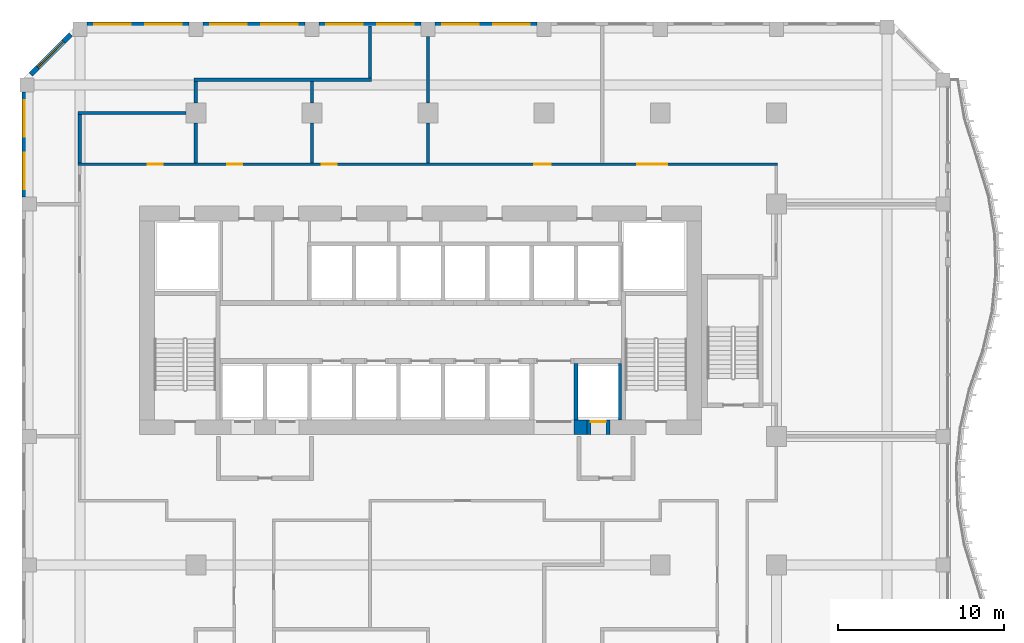
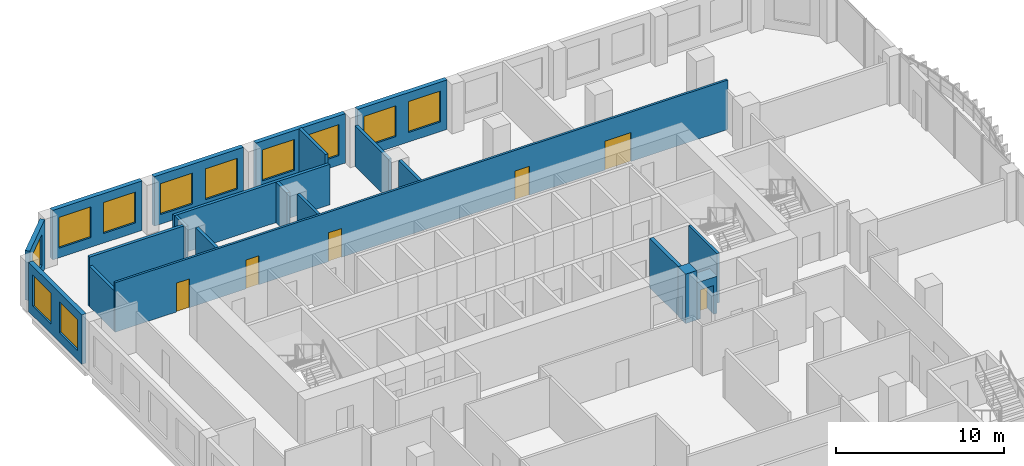
# One storey, part 14 of 19: 21 walls, 11 windows, 6 doors, 17 openings.
"""IFC4 building model written with IfcOpenShell, lengths in metres."""

from ifc_helpers import new_model, si_unit, direction, frame, frame_2d, origin, place, context, subcontext, project, spatial, rectangle, extrude, source, transform, mapped, material, layer, layer_set, type_object, element, fill, save


model = new_model("IFC4")

# Units and contexts
model_context = context("Model", 3, precision=1e-05, world=origin(), true_north=direction((0.0, 1.0)))
body_context = subcontext(model_context, "Body", "Model", "MODEL_VIEW")
ifc_project = project(units=[si_unit("LENGTHUNIT", "METRE"), si_unit("AREAUNIT", "SQUARE_METRE"), si_unit("VOLUMEUNIT", "CUBIC_METRE"), si_unit("PLANEANGLEUNIT", "RADIAN"), si_unit("MASSUNIT", "GRAM", prefix="KILO")], contexts=[model_context])

# Site, building, storey
site_placement = place(None, origin())
site = spatial("IfcSite", under=ifc_project, at=site_placement, CompositionType="ELEMENT")
building_placement = place(site_placement, origin())
building = spatial("IfcBuilding", under=site, at=building_placement, Name="Kilnfold Tower and Market Hall", CompositionType="ELEMENT")
storey_placement = place(building_placement, frame((0.0, 0.0, 124.60009765625)))
storey = spatial("IfcBuildingStorey", under=building, at=storey_placement, Name="L29", CompositionType="ELEMENT", Elevation=124.60009765625)

# Wall, openings, doors
ifc_material_1 = material(Name="Gypsum board on steel studs", Category="steel")
ifc_layer_1 = layer(ifc_material_1, 0.14990234375)
ifc_layer_set_1 = layer_set([ifc_layer_1], Name="Gypsum board on steel studs")
wall_type_1 = type_object("IfcWallType", Name="WALL CORRIDOR 150", PredefinedType="PARTITIONING", material=ifc_layer_set_1)
wall_1_placement = place(storey_placement, frame((-19.60009765625, 24.39990234375, 0.0), z_axis=(0.0, 0.0, 1.0), x_axis=(1.0, 0.0, 0.0)))
wall_1 = element("IfcWall", 1, at=wall_1_placement, inside=storey, type_object=wall_type_1, Name="Partition LY18.33", PredefinedType="PARTITIONING", context=body_context, shape_type="SweptSolid", body=[
    extrude(rectangle(XDim=42.175048828125, YDim=0.14990234375, at=frame_2d((21.08740234375, 0.0))), origin(), (0.0, 0.0, 1.0), 3.599853515625),
])
opening_1_placement = place(wall_1_placement, frame((4.20703125, 0.0, 0.0)))
opening_1 = element("IfcOpeningElement", 2, at=opening_1_placement, cuts=wall_1, Name="Opening D2", PredefinedType="OPENING", context=body_context, shape_type="SweptSolid", body=[
    extrude(rectangle(XDim=0.89990234375, YDim=2.10009765625, at=frame_2d((0.449951171875, 1.050048828125))), frame((0.0, 0.0849609375, 0.0), z_axis=(0.0, -1.0, 0.0), x_axis=(1.0, 0.0, 0.0)), (0.0, 0.0, 1.0), 0.169921875),
])
opening_2_placement = place(wall_1_placement, frame((8.99609375, 0.0, 0.0)))
opening_2 = element("IfcOpeningElement", 3, at=opening_2_placement, cuts=wall_1, Name="Opening D2", PredefinedType="OPENING", context=body_context, shape_type="SweptSolid", body=[
    extrude(rectangle(XDim=0.89990234375, YDim=2.10009765625, at=frame_2d((0.449951171875, 1.050048828125))), frame((0.0, 0.0849609375, 0.0), z_axis=(0.0, -1.0, 0.0), x_axis=(1.0, 0.0, 0.0)), (0.0, 0.0, 1.0), 0.169921875),
])
opening_3_placement = place(wall_1_placement, frame((14.69091796875, 0.0, 0.0)))
opening_3 = element("IfcOpeningElement", 4, at=opening_3_placement, cuts=wall_1, Name="Opening D3", PredefinedType="OPENING", context=body_context, shape_type="SweptSolid", body=[
    extrude(rectangle(XDim=0.89990234375, YDim=2.10009765625, at=frame_2d((0.449951171875, 1.050048828125))), frame((0.0, 0.0849609375, 0.0), z_axis=(0.0, -1.0, 0.0), x_axis=(1.0, 0.0, 0.0)), (0.0, 0.0, 1.0), 0.169921875),
])
opening_4_placement = place(wall_1_placement, frame((27.50390625, 0.0, 0.0)))
opening_4 = element("IfcOpeningElement", 5, at=opening_4_placement, cuts=wall_1, Name="Opening D1", PredefinedType="OPENING", context=body_context, shape_type="SweptSolid", body=[
    extrude(rectangle(XDim=1.0, YDim=2.10009765625, at=frame_2d((0.5, 1.050048828125))), frame((0.0, 0.0849609375, 0.0), z_axis=(0.0, -1.0, 0.0), x_axis=(1.0, 0.0, 0.0)), (0.0, 0.0, 1.0), 0.169921875),
])
opening_5_placement = place(wall_1_placement, frame((33.708984375, 0.0, 0.0)))
opening_5 = element("IfcOpeningElement", 6, at=opening_5_placement, cuts=wall_1, Name="Opening D5", PredefinedType="OPENING", context=body_context, shape_type="SweptSolid", body=[
    extrude(rectangle(XDim=1.800048828125, YDim=2.10009765625, at=frame_2d((0.89990234375, 1.050048828125))), frame((0.0, 0.0849609375, 0.0), z_axis=(0.0, -1.0, 0.0), x_axis=(1.0, 0.0, 0.0)), (0.0, 0.0, 1.0), 0.169921875),
])
ifc_material_2 = material(Name="Timber veneer door leaf in steel frame", Category="steel")
door_type_1 = type_object("IfcDoorType", Name="DOOR DOUBLE 1800 X2100", OperationType="NOTDEFINED", PredefinedType="DOOR", material=ifc_material_2)
door_1_placement = place(opening_5_placement, origin())
door_1 = element("IfcDoor", 7, at=door_1_placement, inside=storey, type_object=door_type_1, Name="Door D5", OperationType="DOUBLE_DOOR_SINGLE_SWING", OverallHeight=2.10009765625, OverallWidth=1.800048828125, PredefinedType="DOOR", context=body_context, shape_type="SweptSolid", body=[
    extrude(rectangle(XDim=1.800048828125, YDim=2.10009765625, at=frame_2d((0.89990234375, 1.050048828125))), frame((0.0, 0.02490234375, 0.0), z_axis=(0.0, -1.0, 0.0), x_axis=(1.0, 0.0, 0.0)), (0.0, 0.0, 1.0), 0.050048828125),
])
fill(opening_5, door_1)
ifc_material_3 = material(Name="Timber veneer door leaf in steel frame", Category="steel")
door_type_2 = type_object("IfcDoorType", Name="DOOR ENTRY 1000 X2100", OperationType="NOTDEFINED", PredefinedType="DOOR", material=ifc_material_3)
door_2_placement = place(opening_4_placement, origin())
door_2 = element("IfcDoor", 8, at=door_2_placement, inside=storey, type_object=door_type_2, Name="Door D1", OperationType="SINGLE_SWING_RIGHT", OverallHeight=2.10009765625, OverallWidth=1.0, PredefinedType="DOOR", context=body_context, shape_type="SweptSolid", body=[
    extrude(rectangle(XDim=1.0, YDim=2.10009765625, at=frame_2d((0.5, 1.050048828125))), frame((0.0, 0.02490234375, 0.0), z_axis=(0.0, -1.0, 0.0), x_axis=(1.0, 0.0, 0.0)), (0.0, 0.0, 1.0), 0.050048828125),
])
fill(opening_4, door_2)
ifc_material_4 = material(Name="Timber veneer door leaf in steel frame", Category="steel")
door_type_3 = type_object("IfcDoorType", Name="DOOR ROOM 900 X2100", OperationType="NOTDEFINED", PredefinedType="DOOR", material=ifc_material_4)
door_3_placement = place(opening_1_placement, origin())
door_3 = element("IfcDoor", 9, at=door_3_placement, inside=storey, type_object=door_type_3, Name="Door D2", OperationType="SINGLE_SWING_LEFT", OverallHeight=2.10009765625, OverallWidth=0.89990234375, PredefinedType="DOOR", context=body_context, shape_type="SweptSolid", body=[
    extrude(rectangle(XDim=0.89990234375, YDim=2.10009765625, at=frame_2d((0.449951171875, 1.050048828125))), frame((0.0, 0.02490234375, 0.0), z_axis=(0.0, -1.0, 0.0), x_axis=(1.0, 0.0, 0.0)), (0.0, 0.0, 1.0), 0.050048828125),
])
fill(opening_1, door_3)
door_4_placement = place(opening_2_placement, origin())
door_4 = element("IfcDoor", 10, at=door_4_placement, inside=storey, type_object=door_type_3, Name="Door D2", OperationType="SINGLE_SWING_LEFT", OverallHeight=2.10009765625, OverallWidth=0.89990234375, PredefinedType="DOOR", context=body_context, shape_type="SweptSolid", body=[
    extrude(rectangle(XDim=0.89990234375, YDim=2.10009765625, at=frame_2d((0.449951171875, 1.050048828125))), frame((0.0, 0.02490234375, 0.0), z_axis=(0.0, -1.0, 0.0), x_axis=(1.0, 0.0, 0.0)), (0.0, 0.0, 1.0), 0.050048828125),
])
fill(opening_2, door_4)
ifc_material_5 = material(Name="Timber veneer door leaf in steel frame", Category="steel")
door_type_4 = type_object("IfcDoorType", Name="DOOR WC 900 X2100", OperationType="NOTDEFINED", PredefinedType="DOOR", material=ifc_material_5)
door_5_placement = place(opening_3_placement, origin())
door_5 = element("IfcDoor", 11, at=door_5_placement, inside=storey, type_object=door_type_4, Name="Door D3", OperationType="SINGLE_SWING_RIGHT", OverallHeight=2.10009765625, OverallWidth=0.89990234375, PredefinedType="DOOR", context=body_context, shape_type="SweptSolid", body=[
    extrude(rectangle(XDim=0.89990234375, YDim=2.10009765625, at=frame_2d((0.449951171875, 1.050048828125))), frame((0.0, 0.02490234375, 0.0), z_axis=(0.0, -1.0, 0.0), x_axis=(1.0, 0.0, 0.0)), (0.0, 0.0, 1.0), 0.050048828125),
])
fill(opening_3, door_5)

# Walls
ifc_material_6 = material(Name="Gypsum board on steel studs", Category="steel")
ifc_layer_2 = layer(ifc_material_6, 0.199951171875)
ifc_layer_set_2 = layer_set([ifc_layer_2], Name="Gypsum board on steel studs")
wall_type_2 = type_object("IfcWallType", Name="WALL PARTY 200", PredefinedType="PARTITIONING", material=ifc_layer_set_2)
wall_2_placement = place(storey_placement, frame((1.5, 24.47607421875, 0.0), z_axis=(0.0, 0.0, 1.0), x_axis=(0.0, 1.0, 0.0)))
element("IfcWall", 12, at=wall_2_placement, inside=storey, type_object=wall_type_2, Name="Partition LY18.56", PredefinedType="PARTITIONING", context=body_context, shape_type="SweptSolid", body=[
    extrude(rectangle(XDim=2.423828125, YDim=0.199951171875, at=frame_2d((1.2119140625, 0.0))), origin(), (0.0, 0.0, 1.0), 3.599853515625),
])
wall_3_placement = place(storey_placement, frame((1.5, 28.10009765625, 0.0), z_axis=(0.0, 0.0, 1.0), x_axis=(0.0, 1.0, 0.0)))
element("IfcWall", 13, at=wall_3_placement, inside=storey, type_object=wall_type_2, Name="Partition LY18.57", PredefinedType="PARTITIONING", context=body_context, shape_type="SweptSolid", body=[
    extrude(rectangle(XDim=4.02490234375, YDim=0.199951171875, at=frame_2d((2.012451171875, 0.0))), origin(), (0.0, 0.0, 1.0), 2.949951171875),
])
wall_4_placement = place(storey_placement, frame((-5.5, 28.10009765625, 0.0), z_axis=(0.0, 0.0, 1.0), x_axis=(0.0, 1.0, 0.0)))
element("IfcWall", 14, at=wall_4_placement, inside=storey, type_object=wall_type_2, Name="Partition LY18.58", PredefinedType="PARTITIONING", context=body_context, shape_type="SweptSolid", body=[
    extrude(rectangle(XDim=1.2998046875, YDim=0.199951171875, at=frame_2d((0.64990234375, 0.0))), origin(), (0.0, 0.0, 1.0), 2.949951171875),
])
wall_5_placement = place(storey_placement, frame((-5.5, 24.47607421875, 0.0), z_axis=(0.0, 0.0, 1.0), x_axis=(0.0, 1.0, 0.0)))
element("IfcWall", 15, at=wall_5_placement, inside=storey, type_object=wall_type_2, Name="Partition LY18.59", PredefinedType="PARTITIONING", context=body_context, shape_type="SweptSolid", body=[
    extrude(rectangle(XDim=2.423828125, YDim=0.199951171875, at=frame_2d((1.2119140625, 0.0))), origin(), (0.0, 0.0, 1.0), 3.599853515625),
])
wall_6_placement = place(storey_placement, frame((-2.0, 29.60009765625, 0.0), z_axis=(0.0, 0.0, 1.0), x_axis=(0.0, 1.0, 0.0)))
element("IfcWall", 16, at=wall_6_placement, inside=storey, type_object=wall_type_2, Name="Partition LY18.60", PredefinedType="PARTITIONING", context=body_context, shape_type="SweptSolid", body=[
    extrude(rectangle(XDim=3.14990234375, YDim=0.199951171875, at=frame_2d((1.574951171875, 0.0))), origin(), (0.0, 0.0, 1.0), 3.599853515625),
])
wall_7_placement = place(storey_placement, frame((-12.5, 24.47607421875, 0.0), z_axis=(0.0, 0.0, 1.0), x_axis=(0.0, 1.0, 0.0)))
element("IfcWall", 17, at=wall_7_placement, inside=storey, type_object=wall_type_2, Name="Partition LY18.61", PredefinedType="PARTITIONING", context=body_context, shape_type="SweptSolid", body=[
    extrude(rectangle(XDim=2.423828125, YDim=0.199951171875, at=frame_2d((1.2119140625, 0.0))), origin(), (0.0, 0.0, 1.0), 3.599853515625),
])
wall_8_placement = place(storey_placement, frame((-12.5, 28.10009765625, 0.0), z_axis=(0.0, 0.0, 1.0), x_axis=(0.0, 1.0, 0.0)))
element("IfcWall", 18, at=wall_8_placement, inside=storey, type_object=wall_type_2, Name="Partition LY18.62", PredefinedType="PARTITIONING", context=body_context, shape_type="SweptSolid", body=[
    extrude(rectangle(XDim=1.2998046875, YDim=0.199951171875, at=frame_2d((0.64990234375, 0.0))), origin(), (0.0, 0.0, 1.0), 2.949951171875),
])
wall_9_placement = place(storey_placement, frame((-12.60009765625, 29.5, 0.0), z_axis=(0.0, 0.0, 1.0), x_axis=(1.0, 0.0, 0.0)))
element("IfcWall", 19, at=wall_9_placement, inside=storey, type_object=wall_type_2, Name="Partition LY18.63", PredefinedType="PARTITIONING", context=body_context, shape_type="SweptSolid", body=[
    extrude(rectangle(XDim=10.7001953125, YDim=0.199951171875, at=frame_2d((5.35009765625, 0.0))), origin(), (0.0, 0.0, 1.0), 2.949951171875),
])
wall_10_placement = place(storey_placement, frame((-19.5, 27.39990234375, 0.0), z_axis=(0.0, 0.0, 1.0), x_axis=(0.0, -1.0, 0.0)))
element("IfcWall", 20, at=wall_10_placement, inside=storey, type_object=wall_type_2, Name="Partition LY18.64", PredefinedType="PARTITIONING", context=body_context, shape_type="SweptSolid", body=[
    extrude(rectangle(XDim=2.923828125, YDim=0.199951171875, at=frame_2d((1.4619140625, 0.0))), origin(), (0.0, 0.0, 1.0), 2.949951171875),
])
wall_11_placement = place(storey_placement, frame((-13.10009765625, 27.5, 0.0), z_axis=(0.0, 0.0, 1.0), x_axis=(-1.0, 0.0, 0.0)))
element("IfcWall", 21, at=wall_11_placement, inside=storey, type_object=wall_type_2, Name="Partition LY18.65", PredefinedType="PARTITIONING", context=body_context, shape_type="SweptSolid", body=[
    extrude(rectangle(XDim=6.5, YDim=0.199951171875, at=frame_2d((3.25, 0.0))), origin(), (0.0, 0.0, 1.0), 3.599853515625),
])
ifc_material_7 = material(Name="Concrete C70", Category="concrete")
ifc_layer_3 = layer(ifc_material_7, 0.89990234375)
ifc_layer_set_3 = layer_set([ifc_layer_3], Name="Concrete C70")
wall_type_3 = type_object("IfcWallType", Name="CORE WALL 900 C70", PredefinedType="SHEAR", material=ifc_layer_set_3)
shared_shape_1 = source(origin(), body_context, "Body", "SweptSolid", [
    extrude(rectangle(XDim=0.780029296875, YDim=0.89990234375, at=frame_2d((0.39013671875, 0.0))), origin(), (0.0, 0.0, 1.0), 3.599853515625),
])
wall_12_placement = place(storey_placement, frame((10.2900390625, 8.550048828125, 0.0), z_axis=(0.0, 0.0, 1.0), x_axis=(1.0, 0.0, 0.0)))
element("IfcWall", 22, at=wall_12_placement, inside=storey, type_object=wall_type_3, Name="Core outer wall south", PredefinedType="SHEAR", context=body_context, shape_type="MappedRepresentation", body=[
    mapped(shared_shape_1, transform((0.0, 0.0, 0.0))),
])

# Wall, opening, window
ifc_material_8 = material(Name="Precast concrete C50/60", Category="concrete")
ifc_layer_4 = layer(ifc_material_8, 0.300048828125)
ifc_layer_set_4 = layer_set([ifc_layer_4], Name="Precast concrete C50/60")
wall_type_4 = type_object("IfcWallType", Name="PRECAST WALL 300", PredefinedType="SOLIDWALL", material=ifc_layer_set_4)
shared_shape_2 = source(origin(), body_context, "Body", "SweptSolid", [
    extrude(rectangle(XDim=3.429443359375, YDim=0.300048828125, at=frame_2d((1.71484375, 0.0))), origin(), (0.0, 0.0, 1.0), 3.599853515625),
])
wall_13_placement = place(storey_placement, frame((-20.0439453125, 32.243896484375, 0.0), z_axis=(0.0, 0.0, 1.0), x_axis=(-0.707106781187, -0.707106781187, 0.0)))
wall_13 = element("IfcWall", 23, at=wall_13_placement, inside=storey, type_object=wall_type_4, Name="External wall L29 NW", PredefinedType="SOLIDWALL", context=body_context, shape_type="MappedRepresentation", body=[
    mapped(shared_shape_2, transform((0.0, 0.0, 0.0))),
])
opening_6_placement = place(wall_13_placement, frame((0.61474609375, 0.0, 0.699951171875)))
opening_6 = element("IfcOpeningElement", 24, at=opening_6_placement, cuts=wall_13, Name="Opening W1", PredefinedType="OPENING", context=body_context, shape_type="SweptSolid", body=[
    extrude(rectangle(XDim=2.199951171875, YDim=2.25, at=frame_2d((1.10009765625, 1.125))), frame((0.0, 0.16015625, 0.0), z_axis=(0.0, -1.0, 0.0), x_axis=(1.0, 0.0, 0.0)), (0.0, 0.0, 1.0), 0.320068359375),
])
ifc_material_9 = material(Name="Aluminium frame and double glazing", Category="aluminium")
window_type = type_object("IfcWindowType", Name="WINDOW W1 2200X2250", PartitioningType="SINGLE_PANEL", PredefinedType="WINDOW", material=ifc_material_9)
window_1_placement = place(opening_6_placement, origin())
window_1 = element("IfcWindow", 25, at=window_1_placement, inside=storey, type_object=window_type, Name="Window W1 L29 NW-1", OverallHeight=2.25, OverallWidth=2.199951171875, PartitioningType="SINGLE_PANEL", PredefinedType="WINDOW", context=body_context, shape_type="SweptSolid", body=[
    extrude(rectangle(XDim=2.199951171875, YDim=2.25, at=frame_2d((1.10009765625, 1.125))), frame((0.0, 0.030029296875, 0.0), z_axis=(0.0, -1.0, 0.0), x_axis=(1.0, 0.0, 0.0)), (0.0, 0.0, 1.0), 0.06005859375),
])
fill(opening_6, window_1)

# Wall, openings, windows
shared_shape_3 = source(origin(), body_context, "Body", "SweptSolid", [
    extrude(rectangle(XDim=6.14990234375, YDim=0.300048828125, at=frame_2d((3.074951171875, 0.0))), origin(), (0.0, 0.0, 1.0), 3.599853515625),
])
wall_14_placement = place(storey_placement, frame((8.074951171875, 32.85009765625, 0.0), z_axis=(0.0, 0.0, 1.0), x_axis=(-1.0, 0.0, 0.0)))
wall_14 = element("IfcWall", 26, at=wall_14_placement, inside=storey, type_object=wall_type_4, Name="External wall L29 N", PredefinedType="SOLIDWALL", context=body_context, shape_type="MappedRepresentation", body=[
    mapped(shared_shape_3, transform((0.0, 0.0, 0.0))),
])
opening_7_placement = place(wall_14_placement, frame((0.4375, 0.0, 0.699951171875)))
opening_7 = element("IfcOpeningElement", 27, at=opening_7_placement, cuts=wall_14, Name="Opening W1", PredefinedType="OPENING", context=body_context, shape_type="SweptSolid", body=[
    extrude(rectangle(XDim=2.199951171875, YDim=2.25, at=frame_2d((1.10009765625, 1.125))), frame((0.0, 0.16015625, 0.0), z_axis=(0.0, -1.0, 0.0), x_axis=(1.0, 0.0, 0.0)), (0.0, 0.0, 1.0), 0.320068359375),
])
opening_8_placement = place(wall_14_placement, frame((3.512451171875, 0.0, 0.699951171875)))
opening_8 = element("IfcOpeningElement", 28, at=opening_8_placement, cuts=wall_14, Name="Opening W1", PredefinedType="OPENING", context=body_context, shape_type="SweptSolid", body=[
    extrude(rectangle(XDim=2.199951171875, YDim=2.25, at=frame_2d((1.10009765625, 1.125))), frame((0.0, 0.16015625, 0.0), z_axis=(0.0, -1.0, 0.0), x_axis=(1.0, 0.0, 0.0)), (0.0, 0.0, 1.0), 0.320068359375),
])
window_2_placement = place(opening_7_placement, origin())
window_2 = element("IfcWindow", 29, at=window_2_placement, inside=storey, type_object=window_type, Name="Window W1 L29 N-1", OverallHeight=2.25, OverallWidth=2.199951171875, PartitioningType="SINGLE_PANEL", PredefinedType="WINDOW", context=body_context, shape_type="SweptSolid", body=[
    extrude(rectangle(XDim=2.199951171875, YDim=2.25, at=frame_2d((1.10009765625, 1.125))), frame((0.0, 0.030029296875, 0.0), z_axis=(0.0, -1.0, 0.0), x_axis=(1.0, 0.0, 0.0)), (0.0, 0.0, 1.0), 0.06005859375),
])
fill(opening_7, window_2)
window_3_placement = place(opening_8_placement, origin())
window_3 = element("IfcWindow", 30, at=window_3_placement, inside=storey, type_object=window_type, Name="Window W1 L29 N-2", OverallHeight=2.25, OverallWidth=2.199951171875, PartitioningType="SINGLE_PANEL", PredefinedType="WINDOW", context=body_context, shape_type="SweptSolid", body=[
    extrude(rectangle(XDim=2.199951171875, YDim=2.25, at=frame_2d((1.10009765625, 1.125))), frame((0.0, 0.030029296875, 0.0), z_axis=(0.0, -1.0, 0.0), x_axis=(1.0, 0.0, 0.0)), (0.0, 0.0, 1.0), 0.06005859375),
])
fill(opening_8, window_3)

wall_15_placement = place(storey_placement, frame((1.074951171875, 32.85009765625, 0.0), z_axis=(0.0, 0.0, 1.0), x_axis=(-1.0, 0.0, 0.0)))
wall_15 = element("IfcWall", 31, at=wall_15_placement, inside=storey, type_object=wall_type_4, Name="External wall L29 N", PredefinedType="SOLIDWALL", context=body_context, shape_type="MappedRepresentation", body=[
    mapped(shared_shape_3, transform((0.0, 0.0, 0.0))),
])
opening_9_placement = place(wall_15_placement, frame((0.4375, 0.0, 0.699951171875)))
opening_9 = element("IfcOpeningElement", 32, at=opening_9_placement, cuts=wall_15, Name="Opening W1", PredefinedType="OPENING", context=body_context, shape_type="SweptSolid", body=[
    extrude(rectangle(XDim=2.199951171875, YDim=2.25, at=frame_2d((1.10009765625, 1.125))), frame((0.0, 0.16015625, 0.0), z_axis=(0.0, -1.0, 0.0), x_axis=(1.0, 0.0, 0.0)), (0.0, 0.0, 1.0), 0.320068359375),
])
opening_10_placement = place(wall_15_placement, frame((3.512451171875, 0.0, 0.699951171875)))
opening_10 = element("IfcOpeningElement", 33, at=opening_10_placement, cuts=wall_15, Name="Opening W1", PredefinedType="OPENING", context=body_context, shape_type="SweptSolid", body=[
    extrude(rectangle(XDim=2.199951171875, YDim=2.25, at=frame_2d((1.10009765625, 1.125))), frame((0.0, 0.16015625, 0.0), z_axis=(0.0, -1.0, 0.0), x_axis=(1.0, 0.0, 0.0)), (0.0, 0.0, 1.0), 0.320068359375),
])
window_4_placement = place(opening_9_placement, origin())
window_4 = element("IfcWindow", 34, at=window_4_placement, inside=storey, type_object=window_type, Name="Window W1 L29 N-1", OverallHeight=2.25, OverallWidth=2.199951171875, PartitioningType="SINGLE_PANEL", PredefinedType="WINDOW", context=body_context, shape_type="SweptSolid", body=[
    extrude(rectangle(XDim=2.199951171875, YDim=2.25, at=frame_2d((1.10009765625, 1.125))), frame((0.0, 0.030029296875, 0.0), z_axis=(0.0, -1.0, 0.0), x_axis=(1.0, 0.0, 0.0)), (0.0, 0.0, 1.0), 0.06005859375),
])
fill(opening_9, window_4)
window_5_placement = place(opening_10_placement, origin())
window_5 = element("IfcWindow", 35, at=window_5_placement, inside=storey, type_object=window_type, Name="Window W1 L29 N-2", OverallHeight=2.25, OverallWidth=2.199951171875, PartitioningType="SINGLE_PANEL", PredefinedType="WINDOW", context=body_context, shape_type="SweptSolid", body=[
    extrude(rectangle(XDim=2.199951171875, YDim=2.25, at=frame_2d((1.10009765625, 1.125))), frame((0.0, 0.030029296875, 0.0), z_axis=(0.0, -1.0, 0.0), x_axis=(1.0, 0.0, 0.0)), (0.0, 0.0, 1.0), 0.06005859375),
])
fill(opening_10, window_5)

wall_16_placement = place(storey_placement, frame((-5.925048828125, 32.85009765625, 0.0), z_axis=(0.0, 0.0, 1.0), x_axis=(-1.0, 0.0, 0.0)))
wall_16 = element("IfcWall", 36, at=wall_16_placement, inside=storey, type_object=wall_type_4, Name="External wall L29 N", PredefinedType="SOLIDWALL", context=body_context, shape_type="MappedRepresentation", body=[
    mapped(shared_shape_3, transform((0.0, 0.0, 0.0))),
])
opening_11_placement = place(wall_16_placement, frame((0.4375, 0.0, 0.699951171875)))
opening_11 = element("IfcOpeningElement", 37, at=opening_11_placement, cuts=wall_16, Name="Opening W1", PredefinedType="OPENING", context=body_context, shape_type="SweptSolid", body=[
    extrude(rectangle(XDim=2.199951171875, YDim=2.25, at=frame_2d((1.10009765625, 1.125))), frame((0.0, 0.16015625, 0.0), z_axis=(0.0, -1.0, 0.0), x_axis=(1.0, 0.0, 0.0)), (0.0, 0.0, 1.0), 0.320068359375),
])
opening_12_placement = place(wall_16_placement, frame((3.512451171875, 0.0, 0.699951171875)))
opening_12 = element("IfcOpeningElement", 38, at=opening_12_placement, cuts=wall_16, Name="Opening W1", PredefinedType="OPENING", context=body_context, shape_type="SweptSolid", body=[
    extrude(rectangle(XDim=2.199951171875, YDim=2.25, at=frame_2d((1.10009765625, 1.125))), frame((0.0, 0.16015625, 0.0), z_axis=(0.0, -1.0, 0.0), x_axis=(1.0, 0.0, 0.0)), (0.0, 0.0, 1.0), 0.320068359375),
])
window_6_placement = place(opening_11_placement, origin())
window_6 = element("IfcWindow", 39, at=window_6_placement, inside=storey, type_object=window_type, Name="Window W1 L29 N-1", OverallHeight=2.25, OverallWidth=2.199951171875, PartitioningType="SINGLE_PANEL", PredefinedType="WINDOW", context=body_context, shape_type="SweptSolid", body=[
    extrude(rectangle(XDim=2.199951171875, YDim=2.25, at=frame_2d((1.10009765625, 1.125))), frame((0.0, 0.030029296875, 0.0), z_axis=(0.0, -1.0, 0.0), x_axis=(1.0, 0.0, 0.0)), (0.0, 0.0, 1.0), 0.06005859375),
])
fill(opening_11, window_6)
window_7_placement = place(opening_12_placement, origin())
window_7 = element("IfcWindow", 40, at=window_7_placement, inside=storey, type_object=window_type, Name="Window W1 L29 N-2", OverallHeight=2.25, OverallWidth=2.199951171875, PartitioningType="SINGLE_PANEL", PredefinedType="WINDOW", context=body_context, shape_type="SweptSolid", body=[
    extrude(rectangle(XDim=2.199951171875, YDim=2.25, at=frame_2d((1.10009765625, 1.125))), frame((0.0, 0.030029296875, 0.0), z_axis=(0.0, -1.0, 0.0), x_axis=(1.0, 0.0, 0.0)), (0.0, 0.0, 1.0), 0.06005859375),
])
fill(opening_12, window_7)

wall_17_placement = place(storey_placement, frame((-12.925048828125, 32.85009765625, 0.0), z_axis=(0.0, 0.0, 1.0), x_axis=(-1.0, 0.0, 0.0)))
wall_17 = element("IfcWall", 41, at=wall_17_placement, inside=storey, type_object=wall_type_4, Name="External wall L29 N", PredefinedType="SOLIDWALL", context=body_context, shape_type="MappedRepresentation", body=[
    mapped(shared_shape_3, transform((0.0, 0.0, 0.0))),
])
opening_13_placement = place(wall_17_placement, frame((0.4375, 0.0, 0.699951171875)))
opening_13 = element("IfcOpeningElement", 42, at=opening_13_placement, cuts=wall_17, Name="Opening W1", PredefinedType="OPENING", context=body_context, shape_type="SweptSolid", body=[
    extrude(rectangle(XDim=2.199951171875, YDim=2.25, at=frame_2d((1.10009765625, 1.125))), frame((0.0, 0.16015625, 0.0), z_axis=(0.0, -1.0, 0.0), x_axis=(1.0, 0.0, 0.0)), (0.0, 0.0, 1.0), 0.320068359375),
])
opening_14_placement = place(wall_17_placement, frame((3.512451171875, 0.0, 0.699951171875)))
opening_14 = element("IfcOpeningElement", 43, at=opening_14_placement, cuts=wall_17, Name="Opening W1", PredefinedType="OPENING", context=body_context, shape_type="SweptSolid", body=[
    extrude(rectangle(XDim=2.199951171875, YDim=2.25, at=frame_2d((1.10009765625, 1.125))), frame((0.0, 0.16015625, 0.0), z_axis=(0.0, -1.0, 0.0), x_axis=(1.0, 0.0, 0.0)), (0.0, 0.0, 1.0), 0.320068359375),
])
window_8_placement = place(opening_13_placement, origin())
window_8 = element("IfcWindow", 44, at=window_8_placement, inside=storey, type_object=window_type, Name="Window W1 L29 N-1", OverallHeight=2.25, OverallWidth=2.199951171875, PartitioningType="SINGLE_PANEL", PredefinedType="WINDOW", context=body_context, shape_type="SweptSolid", body=[
    extrude(rectangle(XDim=2.199951171875, YDim=2.25, at=frame_2d((1.10009765625, 1.125))), frame((0.0, 0.030029296875, 0.0), z_axis=(0.0, -1.0, 0.0), x_axis=(1.0, 0.0, 0.0)), (0.0, 0.0, 1.0), 0.06005859375),
])
fill(opening_13, window_8)
window_9_placement = place(opening_14_placement, origin())
window_9 = element("IfcWindow", 45, at=window_9_placement, inside=storey, type_object=window_type, Name="Window W1 L29 N-2", OverallHeight=2.25, OverallWidth=2.199951171875, PartitioningType="SINGLE_PANEL", PredefinedType="WINDOW", context=body_context, shape_type="SweptSolid", body=[
    extrude(rectangle(XDim=2.199951171875, YDim=2.25, at=frame_2d((1.10009765625, 1.125))), frame((0.0, 0.030029296875, 0.0), z_axis=(0.0, -1.0, 0.0), x_axis=(1.0, 0.0, 0.0)), (0.0, 0.0, 1.0), 0.06005859375),
])
fill(opening_14, window_9)

shared_shape_4 = source(origin(), body_context, "Body", "SweptSolid", [
    extrude(rectangle(XDim=6.331787109375, YDim=0.300048828125, at=frame_2d((3.166015625, 0.0))), origin(), (0.0, 0.0, 1.0), 3.599853515625),
])
wall_18_placement = place(storey_placement, frame((-22.85009765625, 28.7568359375, 0.0), z_axis=(0.0, 0.0, 1.0), x_axis=(0.0, -1.0, 0.0)))
wall_18 = element("IfcWall", 46, at=wall_18_placement, inside=storey, type_object=wall_type_4, Name="External wall L29 W", PredefinedType="SOLIDWALL", context=body_context, shape_type="MappedRepresentation", body=[
    mapped(shared_shape_4, transform((0.0, 0.0, 0.0))),
])
opening_15_placement = place(wall_18_placement, frame((0.48291015625, 0.0, 0.699951171875)))
opening_15 = element("IfcOpeningElement", 47, at=opening_15_placement, cuts=wall_18, Name="Opening W1", PredefinedType="OPENING", context=body_context, shape_type="SweptSolid", body=[
    extrude(rectangle(XDim=2.199951171875, YDim=2.25, at=frame_2d((1.10009765625, 1.125))), frame((0.0, 0.16015625, 0.0), z_axis=(0.0, -1.0, 0.0), x_axis=(1.0, 0.0, 0.0)), (0.0, 0.0, 1.0), 0.320068359375),
])
opening_16_placement = place(wall_18_placement, frame((3.648681640625, 0.0, 0.699951171875)))
opening_16 = element("IfcOpeningElement", 48, at=opening_16_placement, cuts=wall_18, Name="Opening W1", PredefinedType="OPENING", context=body_context, shape_type="SweptSolid", body=[
    extrude(rectangle(XDim=2.199951171875, YDim=2.25, at=frame_2d((1.10009765625, 1.125))), frame((0.0, 0.16015625, 0.0), z_axis=(0.0, -1.0, 0.0), x_axis=(1.0, 0.0, 0.0)), (0.0, 0.0, 1.0), 0.320068359375),
])
window_10_placement = place(opening_15_placement, origin())
window_10 = element("IfcWindow", 49, at=window_10_placement, inside=storey, type_object=window_type, Name="Window W1 L29 W-1", OverallHeight=2.25, OverallWidth=2.199951171875, PartitioningType="SINGLE_PANEL", PredefinedType="WINDOW", context=body_context, shape_type="SweptSolid", body=[
    extrude(rectangle(XDim=2.199951171875, YDim=2.25, at=frame_2d((1.10009765625, 1.125))), frame((0.0, 0.030029296875, 0.0), z_axis=(0.0, -1.0, 0.0), x_axis=(1.0, 0.0, 0.0)), (0.0, 0.0, 1.0), 0.06005859375),
])
fill(opening_15, window_10)
window_11_placement = place(opening_16_placement, origin())
window_11 = element("IfcWindow", 50, at=window_11_placement, inside=storey, type_object=window_type, Name="Window W1 L29 W-2", OverallHeight=2.25, OverallWidth=2.199951171875, PartitioningType="SINGLE_PANEL", PredefinedType="WINDOW", context=body_context, shape_type="SweptSolid", body=[
    extrude(rectangle(XDim=2.199951171875, YDim=2.25, at=frame_2d((1.10009765625, 1.125))), frame((0.0, 0.030029296875, 0.0), z_axis=(0.0, -1.0, 0.0), x_axis=(1.0, 0.0, 0.0)), (0.0, 0.0, 1.0), 0.06005859375),
])
fill(opening_16, window_11)

# Wall, opening, door
ifc_material_10 = material(Name="Gypsum shaft wall system")
ifc_layer_5 = layer(ifc_material_10, 0.89990234375)
ifc_layer_set_5 = layer_set([ifc_layer_5], Name="Gypsum shaft wall system")
wall_type_5 = type_object("IfcWallType", Name="LOBBY WALL 900", PredefinedType="PARTITIONING", material=ifc_layer_set_5)
shared_shape_5 = source(origin(), body_context, "Body", "SweptSolid", [
    extrude(rectangle(XDim=1.39990234375, YDim=0.89990234375, at=frame_2d((0.699951171875, 0.0))), origin(), (0.0, 0.0, 1.0), 2.699951171875),
])
wall_19_placement = place(storey_placement, frame((11.070068359375, 8.550048828125, 0.0), z_axis=(0.0, 0.0, 1.0), x_axis=(1.0, 0.0, 0.0)))
wall_19 = element("IfcWall", 51, at=wall_19_placement, inside=storey, type_object=wall_type_5, Name="Core wall infill", PredefinedType="PARTITIONING", context=body_context, shape_type="MappedRepresentation", body=[
    mapped(shared_shape_5, transform((0.0, 0.0, 0.0))),
])
opening_17_placement = place(wall_19_placement, frame((0.25, 0.0, 0.0)))
opening_17 = element("IfcOpeningElement", 52, at=opening_17_placement, cuts=wall_19, Name="Opening LD1", PredefinedType="OPENING", context=body_context, shape_type="SweptSolid", body=[
    extrude(rectangle(XDim=0.89990234375, YDim=2.10009765625, at=frame_2d((0.449951171875, 1.050048828125))), frame((0.0, 0.4599609375, 0.0), z_axis=(0.0, -1.0, 0.0), x_axis=(1.0, 0.0, 0.0)), (0.0, 0.0, 1.0), 0.919921875),
])
ifc_material_11 = material(Name="Steel door set with fire-resisting leaf", Category="steel")
door_type_5 = type_object("IfcDoorType", Name="FIREFIGHTING LANDING DOOR 900X2100", OperationType="NOTDEFINED", PredefinedType="DOOR", material=ifc_material_11)
door_6_placement = place(opening_17_placement, origin())
door_6 = element("IfcDoor", 53, at=door_6_placement, inside=storey, type_object=door_type_5, Name="Landing door FF3", OperationType="SLIDING_TO_LEFT", OverallHeight=2.10009765625, OverallWidth=0.89990234375, PredefinedType="DOOR", context=body_context, shape_type="SweptSolid", body=[
    extrude(rectangle(XDim=0.89990234375, YDim=2.10009765625, at=frame_2d((0.449951171875, 1.050048828125))), frame((0.0, 0.35498046875, 0.0), z_axis=(0.0, -1.0, 0.0), x_axis=(1.0, 0.0, 0.0)), (0.0, 0.0, 1.0), 0.050048828125),
])
fill(opening_17, door_6)

# Walls
ifc_material_12 = material(Name="Gypsum shaft wall system")
ifc_layer_6 = layer(ifc_material_12, 0.25)
ifc_layer_set_6 = layer_set([ifc_layer_6], Name="Gypsum shaft wall system")
wall_type_6 = type_object("IfcWallType", Name="SHAFT WALL 250", PredefinedType="PARTITIONING", material=ifc_layer_set_6)
shared_shape_6 = source(origin(), body_context, "Body", "SweptSolid", [
    extrude(rectangle(XDim=3.39990234375, YDim=0.25, at=frame_2d((1.699951171875, 0.0))), origin(), (0.0, 0.0, 1.0), 3.599853515625),
])
wall_20_placement = place(storey_placement, frame((10.429931640625, 9.0, 0.0), z_axis=(0.0, 0.0, 1.0), x_axis=(0.0, 1.0, 0.0)))
element("IfcWall", 54, at=wall_20_placement, inside=storey, type_object=wall_type_6, Name="Lift shaft wall", PredefinedType="PARTITIONING", context=body_context, shape_type="MappedRepresentation", body=[
    mapped(shared_shape_6, transform((0.0, 0.0, 0.0))),
])
ifc_material_13 = material(Name="Gypsum shaft wall system")
ifc_layer_7 = layer(ifc_material_13, 0.1650390625)
ifc_layer_set_7 = layer_set([ifc_layer_7], Name="Gypsum shaft wall system")
wall_type_7 = type_object("IfcWallType", Name="SHAFT WALL 165", PredefinedType="PARTITIONING", material=ifc_layer_set_7)
shared_shape_7 = source(origin(), body_context, "Body", "SweptSolid", [
    extrude(rectangle(XDim=3.39990234375, YDim=0.1650390625, at=frame_2d((1.699951171875, 0.0))), origin(), (0.0, 0.0, 1.0), 3.599853515625),
])
wall_21_placement = place(storey_placement, frame((13.0673828125, 9.0, 0.0), z_axis=(0.0, 0.0, 1.0), x_axis=(0.0, 1.0, 0.0)))
element("IfcWall", 55, at=wall_21_placement, inside=storey, type_object=wall_type_7, Name="Lift shaft wall", PredefinedType="PARTITIONING", context=body_context, shape_type="MappedRepresentation", body=[
    mapped(shared_shape_7, transform((0.0, 0.0, 0.0))),
])

save(model, "model.ifc")
